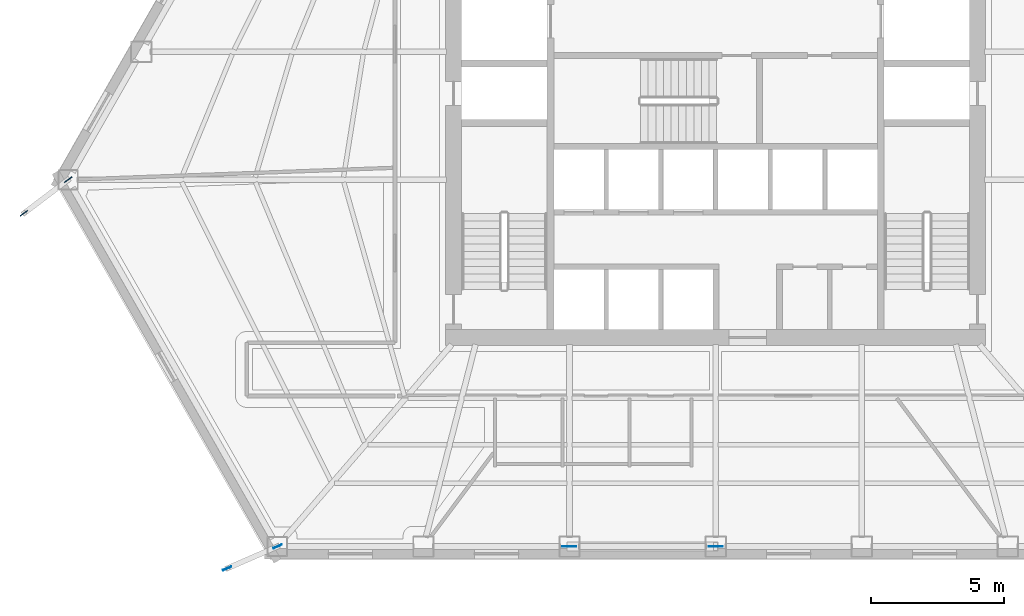
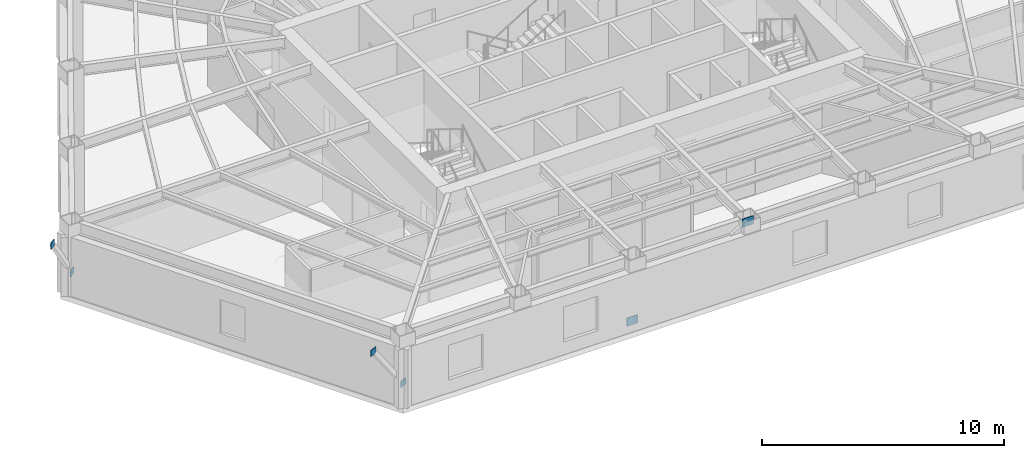
# One storey, part 4 of 12: 6 plates.
"""IFC4 building model written with IfcOpenShell, lengths in metres."""

from ifc_helpers import new_model, si_unit, direction, frame, origin, origin_2d, place, context, subcontext, project, spatial, rectangle, extrude, material, layer, layer_set, type_object, element, save


model = new_model("IFC4")

# Units and contexts
model_context = context("Model", 3, precision=1e-05, world=origin(), true_north=direction((0.0, 1.0)))
body_context = subcontext(model_context, "Body", "Model", "MODEL_VIEW")
ifc_project = project(units=[si_unit("LENGTHUNIT", "METRE"), si_unit("AREAUNIT", "SQUARE_METRE"), si_unit("VOLUMEUNIT", "CUBIC_METRE"), si_unit("PLANEANGLEUNIT", "RADIAN"), si_unit("MASSUNIT", "GRAM", prefix="KILO")], contexts=[model_context])

# Site, building, storey
site_placement = place(None, origin())
site = spatial("IfcSite", under=ifc_project, at=site_placement, CompositionType="ELEMENT")
building_placement = place(site_placement, origin())
building = spatial("IfcBuilding", under=site, at=building_placement, Name="Kavelnor Concourse Tower", CompositionType="ELEMENT")
storey_placement = place(building_placement, frame((0.0, 0.0, 29.10009765625)))
storey = spatial("IfcBuildingStorey", under=building, at=storey_placement, Name="L07", CompositionType="ELEMENT", Elevation=29.10009765625)

# Plates
ifc_material = material(Name="Steel Grade 350", Category="steel")
ifc_layer_1 = layer(ifc_material, 0.028076171875, Name="Steel Grade 350")
ifc_layer_set_1 = layer_set([ifc_layer_1], Name="Steel Grade 350")
plate_type_1 = type_object("IfcPlateType", Name="PL-GUSSET-FOLD", PredefinedType="USERDEFINED", material=ifc_layer_set_1)
for number, where, z_axis, x_axis, name in (
    (1, (13.7421875, 15.21337890625, 0.73974609375), (0.0, 0.0, 1.0), (-0.796635428344, -0.604460084958, 0.0), "L07 Terrace Strut Gusset GP4 C1-A End Gusset A"),
    (2, (12.07568359375, 13.94921875, 3.47509765625), (0.0, 0.0, 1.0), (-0.796635428344, -0.604460084958, 0.0), "L07 Terrace Strut Gusset GP4 C1-A End Gusset B"),
    (3, (21.587890625, 1.4677734375, 0.73974609375), (0.0, 0.0, 1.0), (-0.916572226203, -0.399869171297, 0.0), "L07 Terrace Strut Gusset GP4 C1-B End Gusset A"),
    (4, (19.6962890625, 0.642578125, 3.47509765625), (0.0, 0.0, 1.0), (-0.916572226203, -0.399869171297, 0.0), "L07 Terrace Strut Gusset GP4 C1-B End Gusset B"),
):
    element("IfcPlate", number, at=place(storey_placement, frame(where, z_axis=z_axis, x_axis=x_axis)), inside=storey, type_object=plate_type_1, Name=name, ObjectType="GUSSET_PLATE", PredefinedType="USERDEFINED", context=body_context, shape_type="SweptSolid", body=[
        extrude(rectangle(XDim=0.340087890625, YDim=0.028076171875, at=origin_2d()), origin(), (0.0, 0.0, 1.0), 0.320068359375),
    ])
ifc_layer_2 = layer(ifc_material, 0.031982421875, Name="Steel Grade 350")
ifc_layer_set_2 = layer_set([ifc_layer_2], Name="Steel Grade 350")
plate_type_2 = type_object("IfcPlateType", Name="PL-GUSSET-TUBE-Z1", PredefinedType="USERDEFINED", material=ifc_layer_set_2)
for number, where, z_axis, x_axis, name in (
    (5, (32.513671875, 1.462890625, 0.010009765625), (0.0, 0.0, 1.0), (1.0, 0.0, 0.0), "L07 Tube Brace Gusset GP3 F1-B2 End Gusset A"),
    (6, (38.011962890625, 1.462890625, 3.073974609375), (0.0, 0.0, 1.0), (1.0, 0.0, 0.0), "L07 Tube Brace Gusset GP3 F1-B2 End Gusset B"),
):
    element("IfcPlate", number, at=place(storey_placement, frame(where, z_axis=z_axis, x_axis=x_axis)), inside=storey, type_object=plate_type_2, Name=name, ObjectType="GUSSET_PLATE", PredefinedType="USERDEFINED", context=body_context, shape_type="SweptSolid", body=[
        extrude(rectangle(XDim=0.52001953125, YDim=0.031982421875, at=origin_2d()), origin(), (0.0, 0.0, 1.0), 0.419921875),
    ])

save(model, "model.ifc")
